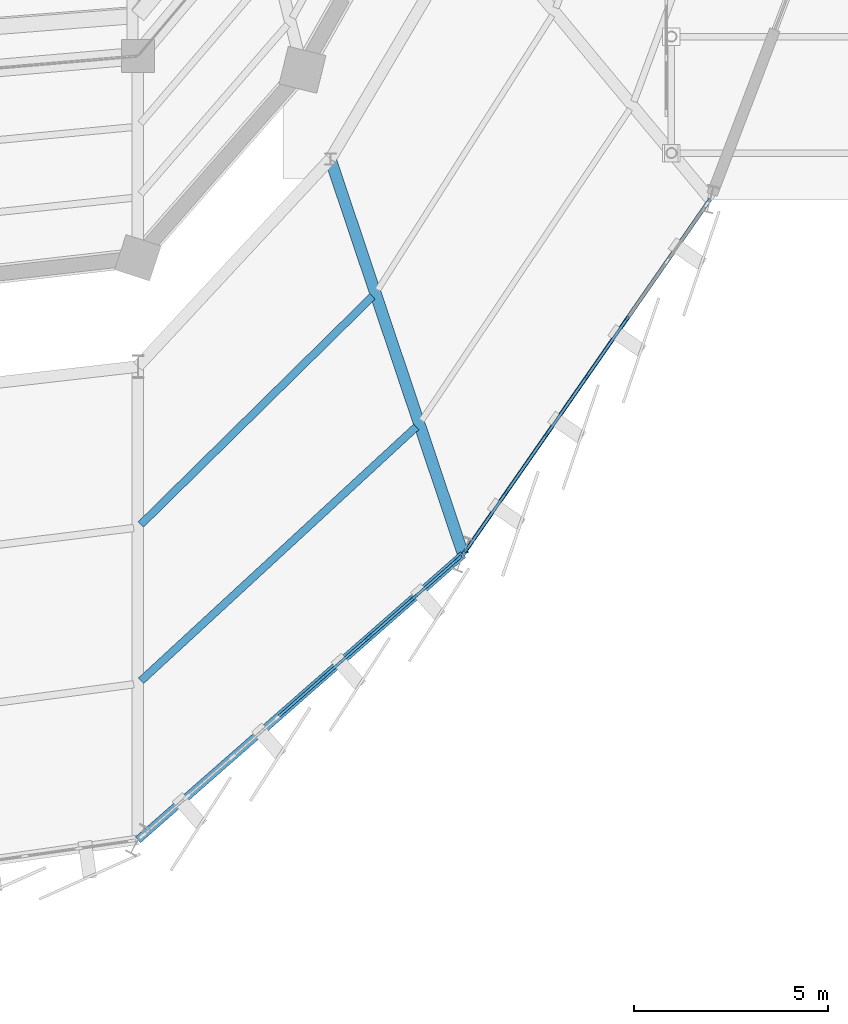
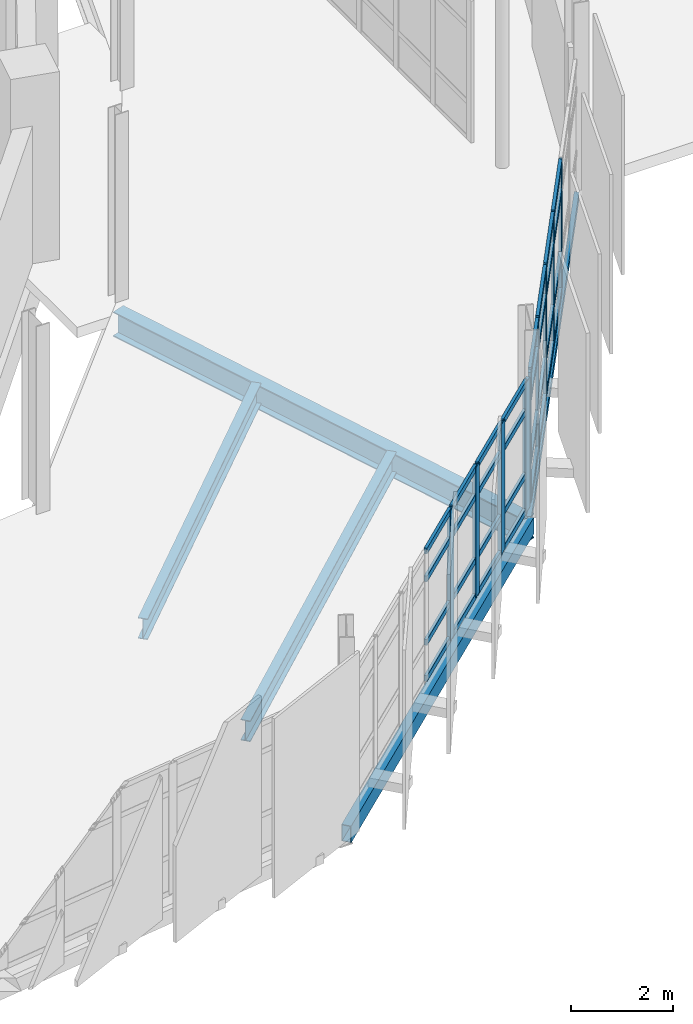
# One storey, part 66 of 134: 41 members, 5 beams, 2 elements without a shape of their own.
"""IFC4 building model written with IfcOpenShell, lengths in metres."""

from ifc_helpers import new_model, si_unit, direction, frame, origin, origin_2d, place, context, subcontext, project, spatial, rectangle, hollow_rectangle, i_section, extrude, material, layer, layer_set, material_profile, profile_set, type_object, element, aggregate, save


model = new_model("IFC4")

# Units and contexts
model_context = context("Model", 3, precision=1e-05, world=origin(), true_north=direction((0.0, 1.0)))
body_context = subcontext(model_context, "Body", "Model", "MODEL_VIEW")
ifc_project = project(units=[si_unit("LENGTHUNIT", "METRE"), si_unit("AREAUNIT", "SQUARE_METRE"), si_unit("VOLUMEUNIT", "CUBIC_METRE"), si_unit("PLANEANGLEUNIT", "RADIAN"), si_unit("MASSUNIT", "GRAM", prefix="KILO")], contexts=[model_context])

# Site, building, storey
site_placement = place(None, origin())
site = spatial("IfcSite", under=ifc_project, at=site_placement, CompositionType="ELEMENT")
building_placement = place(site_placement, origin())
building = spatial("IfcBuilding", under=site, at=building_placement, Name="Sohan Crest Arena", CompositionType="ELEMENT")
storey_placement = place(building_placement, frame((0.0, 0.0, 4.5)))
storey = spatial("IfcBuildingStorey", under=building, at=storey_placement, Name="L01", CompositionType="ELEMENT", Elevation=4.5)

# Curtain wall, members
ifc_material_1 = material(Name="Thermally broken anodised aluminium", Category="aluminium")
ifc_layer_1 = layer(ifc_material_1, 0.219970703125, Name="Thermally broken anodised aluminium")
ifc_layer_set_1 = layer_set([ifc_layer_1], Name="Thermally broken anodised aluminium")
curtain_wall_type_1 = type_object("IfcCurtainWallType", Name="ARC-CW03", PredefinedType="NOTDEFINED", material=ifc_layer_set_1)
curtain_wall_1_placement = place(storey_placement, origin())
curtain_wall_1 = element("IfcCurtainWall", 1, at=curtain_wall_1_placement, inside=storey, type_object=curtain_wall_type_1, Name="Unitised curtain wall CW-038", PredefinedType="NOTDEFINED")
ifc_material_profile_1 = material_profile(ifc_material_1, rectangle(XDim=0.06005859375, YDim=0.159912109375, at=origin_2d()), Name="ALU-MULL 60x160")
ifc_profile_set_1 = profile_set([ifc_material_profile_1], Name="Thermally broken anodised aluminium")
member_type_1 = type_object("IfcMemberType", Name="ARC-CW-ML01", PredefinedType="MULLION", material=ifc_profile_set_1)
member_1_placement = place(storey_placement, frame((176.47412109375, 47.486572265625, 0.0), z_axis=(0.0, 0.0, 1.0), x_axis=(-0.821013728019, 0.570908450107, 0.0)))
member_1 = element("IfcMember", 2, at=member_1_placement, type_object=member_type_1, Name="CW-038 mullion 1", PredefinedType="MULLION", context=body_context, shape_type="SweptSolid", body=[
    extrude(rectangle(XDim=0.06005859375, YDim=0.159912109375, at=origin_2d()), origin(), (0.0, 0.0, 1.0), 3.1201171875),
])
member_2_placement = place(storey_placement, frame((177.493408203125, 48.952392578125, 0.0), z_axis=(0.0, 0.0, 1.0), x_axis=(-0.821013728019, 0.570908450107, 0.0)))
member_2 = element("IfcMember", 3, at=member_2_placement, type_object=member_type_1, Name="CW-038 mullion 2", PredefinedType="MULLION", context=body_context, shape_type="SweptSolid", body=[
    extrude(rectangle(XDim=0.06005859375, YDim=0.159912109375, at=origin_2d()), origin(), (0.0, 0.0, 1.0), 3.1201171875),
])
member_3_placement = place(storey_placement, frame((178.52978515625, 50.442626953125, 0.0), z_axis=(0.0, 0.0, 1.0), x_axis=(-0.821013728019, 0.570908450107, 0.0)))
member_3 = element("IfcMember", 4, at=member_3_placement, type_object=member_type_1, Name="CW-038 mullion 3", PredefinedType="MULLION", context=body_context, shape_type="SweptSolid", body=[
    extrude(rectangle(XDim=0.06005859375, YDim=0.159912109375, at=origin_2d()), origin(), (0.0, 0.0, 1.0), 3.1201171875),
])
member_4_placement = place(storey_placement, frame((179.56591796875, 51.93310546875, 0.0), z_axis=(0.0, 0.0, 1.0), x_axis=(-0.821013728019, 0.570908450107, 0.0)))
member_4 = element("IfcMember", 5, at=member_4_placement, type_object=member_type_1, Name="CW-038 mullion 4", PredefinedType="MULLION", context=body_context, shape_type="SweptSolid", body=[
    extrude(rectangle(XDim=0.06005859375, YDim=0.159912109375, at=origin_2d()), origin(), (0.0, 0.0, 1.0), 3.1201171875),
])
member_5_placement = place(storey_placement, frame((180.602294921875, 53.42333984375, 0.0), z_axis=(0.0, 0.0, 1.0), x_axis=(-0.821013728019, 0.570908450107, 0.0)))
member_5 = element("IfcMember", 6, at=member_5_placement, type_object=member_type_1, Name="CW-038 mullion 5", PredefinedType="MULLION", context=body_context, shape_type="SweptSolid", body=[
    extrude(rectangle(XDim=0.06005859375, YDim=0.159912109375, at=origin_2d()), origin(), (0.0, 0.0, 1.0), 3.1201171875),
])

ifc_layer_2 = layer(ifc_material_1, 0.199951171875, Name="Thermally broken anodised aluminium")
ifc_layer_set_2 = layer_set([ifc_layer_2], Name="Thermally broken anodised aluminium")
curtain_wall_type_2 = type_object("IfcCurtainWallType", Name="ARC-CW02", PredefinedType="NOTDEFINED", material=ifc_layer_set_2)
curtain_wall_2_placement = place(storey_placement, origin())
curtain_wall_2 = element("IfcCurtainWall", 7, at=curtain_wall_2_placement, inside=storey, type_object=curtain_wall_type_2, Name="Unitised curtain wall CW-037", PredefinedType="NOTDEFINED")
ifc_material_profile_2 = material_profile(ifc_material_1, rectangle(XDim=0.074951171875, YDim=0.219970703125, at=origin_2d()), Name="ALU-MULL 75x220")
ifc_profile_set_2 = profile_set([ifc_material_profile_2], Name="Thermally broken anodised aluminium")
member_type_2 = type_object("IfcMemberType", Name="ARC-CW-ML04", PredefinedType="MULLION", material=ifc_profile_set_2)
member_6_placement = place(storey_placement, frame((172.7763671875, 44.190673828125, 0.0), z_axis=(0.0, 0.0, 1.0), x_axis=(-0.659511551903, 0.751694427881, 0.0)))
member_6 = element("IfcMember", 8, at=member_6_placement, type_object=member_type_2, Name="CW-037 mullion 5", PredefinedType="MULLION", context=body_context, shape_type="SweptSolid", body=[
    extrude(rectangle(XDim=0.074951171875, YDim=0.219970703125, at=origin_2d()), origin(), (0.0, 0.0, 1.0), 3.1201171875),
])
member_7_placement = place(storey_placement, frame((173.94580078125, 45.216796875, 0.0), z_axis=(0.0, 0.0, 1.0), x_axis=(-0.659511551903, 0.751694427881, 0.0)))
member_7 = element("IfcMember", 9, at=member_7_placement, type_object=member_type_2, Name="CW-037 mullion 6", PredefinedType="MULLION", context=body_context, shape_type="SweptSolid", body=[
    extrude(rectangle(XDim=0.074951171875, YDim=0.219970703125, at=origin_2d()), origin(), (0.0, 0.0, 1.0), 3.1201171875),
])
member_8_placement = place(storey_placement, frame((175.115478515625, 46.242919921875, 0.0), z_axis=(0.0, 0.0, 1.0), x_axis=(-0.659511551903, 0.751694427881, 0.0)))
member_8 = element("IfcMember", 10, at=member_8_placement, type_object=member_type_2, Name="CW-037 mullion 7", PredefinedType="MULLION", context=body_context, shape_type="SweptSolid", body=[
    extrude(rectangle(XDim=0.074951171875, YDim=0.219970703125, at=origin_2d()), origin(), (0.0, 0.0, 1.0), 3.1201171875),
])
member_9_placement = place(storey_placement, frame((176.2568359375, 47.244384765625, 0.0), z_axis=(0.0, 0.0, 1.0), x_axis=(-0.659511551903, 0.751694427881, 0.0)))
member_9 = element("IfcMember", 11, at=member_9_placement, type_object=member_type_2, Name="CW-037 mullion 8", PredefinedType="MULLION", context=body_context, shape_type="SweptSolid", body=[
    extrude(rectangle(XDim=0.074951171875, YDim=0.219970703125, at=origin_2d()), origin(), (0.0, 0.0, 1.0), 3.1201171875),
])
ifc_material_profile_3 = material_profile(ifc_material_1, rectangle(XDim=0.06494140625, YDim=0.139892578125, at=origin_2d()), Name="ALU-TRAN 65x140")
ifc_profile_set_3 = profile_set([ifc_material_profile_3], Name="Thermally broken anodised aluminium")
member_type_3 = type_object("IfcMemberType", Name="ARC-CW-TR02", PredefinedType="USERDEFINED", material=ifc_profile_set_3)
member_10_placement = place(storey_placement, frame((171.635009765625, 43.189208984375, 0.032470703125), z_axis=(0.75168740905, 0.6595195517, 0.0), x_axis=(-0.6595195517, 0.75168740905, 0.0)))
member_10 = element("IfcMember", 12, at=member_10_placement, type_object=member_type_3, Name="CW-037 transom 4.1", ObjectType="TRANSOM", PredefinedType="USERDEFINED", context=body_context, shape_type="SweptSolid", body=[
    extrude(rectangle(XDim=0.06494140625, YDim=0.139892578125, at=origin_2d()), origin(), (0.0, 0.0, 1.0), 1.480712890625),
])
member_11_placement = place(storey_placement, frame((171.635009765625, 43.189208984375, 0.89990234375), z_axis=(0.75168740905, 0.6595195517, 0.0), x_axis=(-0.6595195517, 0.75168740905, 0.0)))
member_11 = element("IfcMember", 13, at=member_11_placement, type_object=member_type_3, Name="CW-037 transom 4.2", ObjectType="TRANSOM", PredefinedType="USERDEFINED", context=body_context, shape_type="SweptSolid", body=[
    extrude(rectangle(XDim=0.06494140625, YDim=0.139892578125, at=origin_2d()), origin(), (0.0, 0.0, 1.0), 1.480712890625),
])
member_12_placement = place(storey_placement, frame((171.635009765625, 43.189208984375, 2.419921875), z_axis=(0.75168740905, 0.6595195517, 0.0), x_axis=(-0.6595195517, 0.75168740905, 0.0)))
member_12 = element("IfcMember", 14, at=member_12_placement, type_object=member_type_3, Name="CW-037 transom 4.3", ObjectType="TRANSOM", PredefinedType="USERDEFINED", context=body_context, shape_type="SweptSolid", body=[
    extrude(rectangle(XDim=0.06494140625, YDim=0.139892578125, at=origin_2d()), origin(), (0.0, 0.0, 1.0), 1.480712890625),
])
member_13_placement = place(storey_placement, frame((171.635009765625, 43.189208984375, 3.08740234375), z_axis=(0.75168740905, 0.6595195517, 0.0), x_axis=(-0.6595195517, 0.75168740905, 0.0)))
member_13 = element("IfcMember", 15, at=member_13_placement, type_object=member_type_3, Name="CW-037 transom 4.4", ObjectType="TRANSOM", PredefinedType="USERDEFINED", context=body_context, shape_type="SweptSolid", body=[
    extrude(rectangle(XDim=0.06494140625, YDim=0.139892578125, at=origin_2d()), origin(), (0.0, 0.0, 1.0), 1.480712890625),
])
member_14_placement = place(storey_placement, frame((172.804443359375, 44.21533203125, 0.032470703125), z_axis=(0.751759112871, 0.659437818308, 0.0), x_axis=(-0.659437818308, 0.751759112871, 0.0)))
member_14 = element("IfcMember", 16, at=member_14_placement, type_object=member_type_3, Name="CW-037 transom 5.1", ObjectType="TRANSOM", PredefinedType="USERDEFINED", context=body_context, shape_type="SweptSolid", body=[
    extrude(rectangle(XDim=0.06494140625, YDim=0.139892578125, at=origin_2d()), origin(), (0.0, 0.0, 1.0), 1.48095703125),
])
member_15_placement = place(storey_placement, frame((172.804443359375, 44.21533203125, 0.89990234375), z_axis=(0.751759112871, 0.659437818308, 0.0), x_axis=(-0.659437818308, 0.751759112871, 0.0)))
member_15 = element("IfcMember", 17, at=member_15_placement, type_object=member_type_3, Name="CW-037 transom 5.2", ObjectType="TRANSOM", PredefinedType="USERDEFINED", context=body_context, shape_type="SweptSolid", body=[
    extrude(rectangle(XDim=0.06494140625, YDim=0.139892578125, at=origin_2d()), origin(), (0.0, 0.0, 1.0), 1.48095703125),
])
member_16_placement = place(storey_placement, frame((172.804443359375, 44.21533203125, 2.419921875), z_axis=(0.751759112871, 0.659437818308, 0.0), x_axis=(-0.659437818308, 0.751759112871, 0.0)))
member_16 = element("IfcMember", 18, at=member_16_placement, type_object=member_type_3, Name="CW-037 transom 5.3", ObjectType="TRANSOM", PredefinedType="USERDEFINED", context=body_context, shape_type="SweptSolid", body=[
    extrude(rectangle(XDim=0.06494140625, YDim=0.139892578125, at=origin_2d()), origin(), (0.0, 0.0, 1.0), 1.48095703125),
])
member_17_placement = place(storey_placement, frame((172.804443359375, 44.21533203125, 3.08740234375), z_axis=(0.751759112871, 0.659437818308, 0.0), x_axis=(-0.659437818308, 0.751759112871, 0.0)))
member_17 = element("IfcMember", 19, at=member_17_placement, type_object=member_type_3, Name="CW-037 transom 5.4", ObjectType="TRANSOM", PredefinedType="USERDEFINED", context=body_context, shape_type="SweptSolid", body=[
    extrude(rectangle(XDim=0.06494140625, YDim=0.139892578125, at=origin_2d()), origin(), (0.0, 0.0, 1.0), 1.48095703125),
])
member_18_placement = place(storey_placement, frame((173.97412109375, 45.241455078125, 0.032470703125), z_axis=(0.75168740905, 0.6595195517, 0.0), x_axis=(-0.6595195517, 0.75168740905, 0.0)))
member_18 = element("IfcMember", 20, at=member_18_placement, type_object=member_type_3, Name="CW-037 transom 6.1", ObjectType="TRANSOM", PredefinedType="USERDEFINED", context=body_context, shape_type="SweptSolid", body=[
    extrude(rectangle(XDim=0.06494140625, YDim=0.139892578125, at=origin_2d()), origin(), (0.0, 0.0, 1.0), 1.480712890625),
])
member_19_placement = place(storey_placement, frame((173.97412109375, 45.241455078125, 0.89990234375), z_axis=(0.75168740905, 0.6595195517, 0.0), x_axis=(-0.6595195517, 0.75168740905, 0.0)))
member_19 = element("IfcMember", 21, at=member_19_placement, type_object=member_type_3, Name="CW-037 transom 6.2", ObjectType="TRANSOM", PredefinedType="USERDEFINED", context=body_context, shape_type="SweptSolid", body=[
    extrude(rectangle(XDim=0.06494140625, YDim=0.139892578125, at=origin_2d()), origin(), (0.0, 0.0, 1.0), 1.480712890625),
])
member_20_placement = place(storey_placement, frame((173.97412109375, 45.241455078125, 2.419921875), z_axis=(0.75168740905, 0.6595195517, 0.0), x_axis=(-0.6595195517, 0.75168740905, 0.0)))
member_20 = element("IfcMember", 22, at=member_20_placement, type_object=member_type_3, Name="CW-037 transom 6.3", ObjectType="TRANSOM", PredefinedType="USERDEFINED", context=body_context, shape_type="SweptSolid", body=[
    extrude(rectangle(XDim=0.06494140625, YDim=0.139892578125, at=origin_2d()), origin(), (0.0, 0.0, 1.0), 1.480712890625),
])
member_21_placement = place(storey_placement, frame((173.97412109375, 45.241455078125, 3.08740234375), z_axis=(0.75168740905, 0.6595195517, 0.0), x_axis=(-0.6595195517, 0.75168740905, 0.0)))
member_21 = element("IfcMember", 23, at=member_21_placement, type_object=member_type_3, Name="CW-037 transom 6.4", ObjectType="TRANSOM", PredefinedType="USERDEFINED", context=body_context, shape_type="SweptSolid", body=[
    extrude(rectangle(XDim=0.06494140625, YDim=0.139892578125, at=origin_2d()), origin(), (0.0, 0.0, 1.0), 1.480712890625),
])
member_22_placement = place(storey_placement, frame((175.1435546875, 46.267578125, 0.032470703125), z_axis=(0.751695851588, 0.659509929194, 0.0), x_axis=(-0.659509929194, 0.751695851588, 0.0)))
member_22 = element("IfcMember", 24, at=member_22_placement, type_object=member_type_3, Name="CW-037 transom 7.1", ObjectType="TRANSOM", PredefinedType="USERDEFINED", context=body_context, shape_type="SweptSolid", body=[
    extrude(rectangle(XDim=0.06494140625, YDim=0.139892578125, at=origin_2d()), origin(), (0.0, 0.0, 1.0), 1.443359375),
])
member_23_placement = place(storey_placement, frame((175.1435546875, 46.267578125, 0.89990234375), z_axis=(0.751695851588, 0.659509929194, 0.0), x_axis=(-0.659509929194, 0.751695851588, 0.0)))
member_23 = element("IfcMember", 25, at=member_23_placement, type_object=member_type_3, Name="CW-037 transom 7.2", ObjectType="TRANSOM", PredefinedType="USERDEFINED", context=body_context, shape_type="SweptSolid", body=[
    extrude(rectangle(XDim=0.06494140625, YDim=0.139892578125, at=origin_2d()), origin(), (0.0, 0.0, 1.0), 1.443359375),
])
member_24_placement = place(storey_placement, frame((175.1435546875, 46.267578125, 2.419921875), z_axis=(0.751695851588, 0.659509929194, 0.0), x_axis=(-0.659509929194, 0.751695851588, 0.0)))
member_24 = element("IfcMember", 26, at=member_24_placement, type_object=member_type_3, Name="CW-037 transom 7.3", ObjectType="TRANSOM", PredefinedType="USERDEFINED", context=body_context, shape_type="SweptSolid", body=[
    extrude(rectangle(XDim=0.06494140625, YDim=0.139892578125, at=origin_2d()), origin(), (0.0, 0.0, 1.0), 1.443359375),
])
member_25_placement = place(storey_placement, frame((175.1435546875, 46.267578125, 3.08740234375), z_axis=(0.751695851588, 0.659509929194, 0.0), x_axis=(-0.659509929194, 0.751695851588, 0.0)))
member_25 = element("IfcMember", 27, at=member_25_placement, type_object=member_type_3, Name="CW-037 transom 7.4", ObjectType="TRANSOM", PredefinedType="USERDEFINED", context=body_context, shape_type="SweptSolid", body=[
    extrude(rectangle(XDim=0.06494140625, YDim=0.139892578125, at=origin_2d()), origin(), (0.0, 0.0, 1.0), 1.443359375),
])
aggregate(curtain_wall_2, [member_6, member_7, member_8, member_9, member_10, member_11, member_12, member_13, member_14, member_15, member_16, member_17, member_18, member_19, member_20, member_21, member_22, member_23, member_24, member_25])

# Member
ifc_material_profile_4 = material_profile(ifc_material_1, rectangle(XDim=0.070068359375, YDim=0.14990234375, at=origin_2d()), Name="ALU-TRAN 70x150")
ifc_profile_set_4 = profile_set([ifc_material_profile_4], Name="Thermally broken anodised aluminium")
member_type_4 = type_object("IfcMemberType", Name="ARC-CW-TR03", PredefinedType="USERDEFINED", material=ifc_profile_set_4)
member_26_placement = place(storey_placement, frame((176.4912109375, 47.51123046875, 0.034912109375), z_axis=(0.570952544664, 0.820983064223, 0.0), x_axis=(-0.820983064223, 0.570952544664, 0.0)))
member_26 = element("IfcMember", 28, at=member_26_placement, type_object=member_type_4, Name="CW-038 transom 1.1", ObjectType="TRANSOM", PredefinedType="USERDEFINED", context=body_context, shape_type="SweptSolid", body=[
    extrude(rectangle(XDim=0.070068359375, YDim=0.14990234375, at=origin_2d()), origin(), (0.0, 0.0, 1.0), 1.725341796875),
])

member_27_placement = place(storey_placement, frame((176.4912109375, 47.51123046875, 0.89990234375), z_axis=(0.570952544664, 0.820983064223, 0.0), x_axis=(-0.820983064223, 0.570952544664, 0.0)))
member_27 = element("IfcMember", 29, at=member_27_placement, type_object=member_type_4, Name="CW-038 transom 1.2", ObjectType="TRANSOM", PredefinedType="USERDEFINED", context=body_context, shape_type="SweptSolid", body=[
    extrude(rectangle(XDim=0.070068359375, YDim=0.14990234375, at=origin_2d()), origin(), (0.0, 0.0, 1.0), 1.725341796875),
])

member_28_placement = place(storey_placement, frame((176.4912109375, 47.51123046875, 2.419921875), z_axis=(0.570952544664, 0.820983064223, 0.0), x_axis=(-0.820983064223, 0.570952544664, 0.0)))
member_28 = element("IfcMember", 30, at=member_28_placement, type_object=member_type_4, Name="CW-038 transom 1.3", ObjectType="TRANSOM", PredefinedType="USERDEFINED", context=body_context, shape_type="SweptSolid", body=[
    extrude(rectangle(XDim=0.070068359375, YDim=0.14990234375, at=origin_2d()), origin(), (0.0, 0.0, 1.0), 1.725341796875),
])

member_29_placement = place(storey_placement, frame((176.4912109375, 47.51123046875, 3.0849609375), z_axis=(0.570952544664, 0.820983064223, 0.0), x_axis=(-0.820983064223, 0.570952544664, 0.0)))
member_29 = element("IfcMember", 31, at=member_29_placement, type_object=member_type_4, Name="CW-038 transom 1.4", ObjectType="TRANSOM", PredefinedType="USERDEFINED", context=body_context, shape_type="SweptSolid", body=[
    extrude(rectangle(XDim=0.070068359375, YDim=0.14990234375, at=origin_2d()), origin(), (0.0, 0.0, 1.0), 1.725341796875),
])

member_30_placement = place(storey_placement, frame((177.510498046875, 48.97705078125, 0.034912109375), z_axis=(0.570901445273, 0.821018598928, 0.0), x_axis=(-0.821018598928, 0.570901445273, 0.0)))
member_30 = element("IfcMember", 32, at=member_30_placement, type_object=member_type_4, Name="CW-038 transom 2.1", ObjectType="TRANSOM", PredefinedType="USERDEFINED", context=body_context, shape_type="SweptSolid", body=[
    extrude(rectangle(XDim=0.070068359375, YDim=0.14990234375, at=origin_2d()), origin(), (0.0, 0.0, 1.0), 1.755126953125),
])

member_31_placement = place(storey_placement, frame((177.510498046875, 48.97705078125, 0.89990234375), z_axis=(0.570901445273, 0.821018598928, 0.0), x_axis=(-0.821018598928, 0.570901445273, 0.0)))
member_31 = element("IfcMember", 33, at=member_31_placement, type_object=member_type_4, Name="CW-038 transom 2.2", ObjectType="TRANSOM", PredefinedType="USERDEFINED", context=body_context, shape_type="SweptSolid", body=[
    extrude(rectangle(XDim=0.070068359375, YDim=0.14990234375, at=origin_2d()), origin(), (0.0, 0.0, 1.0), 1.755126953125),
])

member_32_placement = place(storey_placement, frame((177.510498046875, 48.97705078125, 2.419921875), z_axis=(0.570901445273, 0.821018598928, 0.0), x_axis=(-0.821018598928, 0.570901445273, 0.0)))
member_32 = element("IfcMember", 34, at=member_32_placement, type_object=member_type_4, Name="CW-038 transom 2.3", ObjectType="TRANSOM", PredefinedType="USERDEFINED", context=body_context, shape_type="SweptSolid", body=[
    extrude(rectangle(XDim=0.070068359375, YDim=0.14990234375, at=origin_2d()), origin(), (0.0, 0.0, 1.0), 1.755126953125),
])

member_33_placement = place(storey_placement, frame((177.510498046875, 48.97705078125, 3.0849609375), z_axis=(0.570901445273, 0.821018598928, 0.0), x_axis=(-0.821018598928, 0.570901445273, 0.0)))
member_33 = element("IfcMember", 35, at=member_33_placement, type_object=member_type_4, Name="CW-038 transom 2.4", ObjectType="TRANSOM", PredefinedType="USERDEFINED", context=body_context, shape_type="SweptSolid", body=[
    extrude(rectangle(XDim=0.070068359375, YDim=0.14990234375, at=origin_2d()), origin(), (0.0, 0.0, 1.0), 1.755126953125),
])

member_34_placement = place(storey_placement, frame((178.546875, 50.46728515625, 0.034912109375), z_axis=(0.570836247866, 0.821063930594, 0.0), x_axis=(-0.821063930594, 0.570836247866, 0.0)))
member_34 = element("IfcMember", 36, at=member_34_placement, type_object=member_type_4, Name="CW-038 transom 3.1", ObjectType="TRANSOM", PredefinedType="USERDEFINED", context=body_context, shape_type="SweptSolid", body=[
    extrude(rectangle(XDim=0.070068359375, YDim=0.14990234375, at=origin_2d()), origin(), (0.0, 0.0, 1.0), 1.755126953125),
])

member_35_placement = place(storey_placement, frame((178.546875, 50.46728515625, 0.89990234375), z_axis=(0.570836247866, 0.821063930594, 0.0), x_axis=(-0.821063930594, 0.570836247866, 0.0)))
member_35 = element("IfcMember", 37, at=member_35_placement, type_object=member_type_4, Name="CW-038 transom 3.2", ObjectType="TRANSOM", PredefinedType="USERDEFINED", context=body_context, shape_type="SweptSolid", body=[
    extrude(rectangle(XDim=0.070068359375, YDim=0.14990234375, at=origin_2d()), origin(), (0.0, 0.0, 1.0), 1.755126953125),
])

member_36_placement = place(storey_placement, frame((178.546875, 50.46728515625, 2.419921875), z_axis=(0.570836247866, 0.821063930594, 0.0), x_axis=(-0.821063930594, 0.570836247866, 0.0)))
member_36 = element("IfcMember", 38, at=member_36_placement, type_object=member_type_4, Name="CW-038 transom 3.3", ObjectType="TRANSOM", PredefinedType="USERDEFINED", context=body_context, shape_type="SweptSolid", body=[
    extrude(rectangle(XDim=0.070068359375, YDim=0.14990234375, at=origin_2d()), origin(), (0.0, 0.0, 1.0), 1.755126953125),
])

member_37_placement = place(storey_placement, frame((178.546875, 50.46728515625, 3.0849609375), z_axis=(0.570836247866, 0.821063930594, 0.0), x_axis=(-0.821063930594, 0.570836247866, 0.0)))
member_37 = element("IfcMember", 39, at=member_37_placement, type_object=member_type_4, Name="CW-038 transom 3.4", ObjectType="TRANSOM", PredefinedType="USERDEFINED", context=body_context, shape_type="SweptSolid", body=[
    extrude(rectangle(XDim=0.070068359375, YDim=0.14990234375, at=origin_2d()), origin(), (0.0, 0.0, 1.0), 1.755126953125),
])

member_38_placement = place(storey_placement, frame((179.5830078125, 51.95751953125, 0.034912109375), z_axis=(0.570930005452, 0.820998738656, 0.0), x_axis=(-0.820998738656, 0.570930005452, 0.0)))
member_38 = element("IfcMember", 40, at=member_38_placement, type_object=member_type_4, Name="CW-038 transom 4.1", ObjectType="TRANSOM", PredefinedType="USERDEFINED", context=body_context, shape_type="SweptSolid", body=[
    extrude(rectangle(XDim=0.070068359375, YDim=0.14990234375, at=origin_2d()), origin(), (0.0, 0.0, 1.0), 1.75537109375),
])

member_39_placement = place(storey_placement, frame((179.5830078125, 51.95751953125, 0.89990234375), z_axis=(0.570930005452, 0.820998738656, 0.0), x_axis=(-0.820998738656, 0.570930005452, 0.0)))
member_39 = element("IfcMember", 41, at=member_39_placement, type_object=member_type_4, Name="CW-038 transom 4.2", ObjectType="TRANSOM", PredefinedType="USERDEFINED", context=body_context, shape_type="SweptSolid", body=[
    extrude(rectangle(XDim=0.070068359375, YDim=0.14990234375, at=origin_2d()), origin(), (0.0, 0.0, 1.0), 1.75537109375),
])

member_40_placement = place(storey_placement, frame((179.5830078125, 51.95751953125, 2.419921875), z_axis=(0.570930005452, 0.820998738656, 0.0), x_axis=(-0.820998738656, 0.570930005452, 0.0)))
member_40 = element("IfcMember", 42, at=member_40_placement, type_object=member_type_4, Name="CW-038 transom 4.3", ObjectType="TRANSOM", PredefinedType="USERDEFINED", context=body_context, shape_type="SweptSolid", body=[
    extrude(rectangle(XDim=0.070068359375, YDim=0.14990234375, at=origin_2d()), origin(), (0.0, 0.0, 1.0), 1.75537109375),
])

member_41_placement = place(storey_placement, frame((179.5830078125, 51.95751953125, 3.0849609375), z_axis=(0.570930005452, 0.820998738656, 0.0), x_axis=(-0.820998738656, 0.570930005452, 0.0)))
member_41 = element("IfcMember", 43, at=member_41_placement, type_object=member_type_4, Name="CW-038 transom 4.4", ObjectType="TRANSOM", PredefinedType="USERDEFINED", context=body_context, shape_type="SweptSolid", body=[
    extrude(rectangle(XDim=0.070068359375, YDim=0.14990234375, at=origin_2d()), origin(), (0.0, 0.0, 1.0), 1.75537109375),
])

aggregate(curtain_wall_1, [member_1, member_2, member_3, member_4, member_5, member_26, member_27, member_28, member_29, member_30, member_31, member_32, member_33, member_34, member_35, member_36, member_37, member_38, member_39, member_40, member_41])

# Beams
ifc_material_2 = material(Name="Steel S355", Category="steel")
ifc_material_profile_5 = material_profile(ifc_material_2, i_section(OverallWidth=0.199951171875, OverallDepth=0.5, WebThickness=0.01025390625, FlangeThickness=0.01611328125, at=origin_2d()), Name="IPE 500")
ifc_profile_set_5 = profile_set([ifc_material_profile_5], Name="Steel S355")
beam_type_1 = type_object("IfcBeamType", Name="STR-BM-B05", PredefinedType="JOIST", material=ifc_profile_set_5)
beam_1_placement = place(storey_placement, frame((168.077880859375, 48.12890625, -0.52490234375), z_axis=(0.712580271708, 0.701590590283, 0.0), x_axis=(-0.701590590283, 0.712580271708, 0.0)))
element("IfcBeam", 44, at=beam_1_placement, inside=storey, type_object=beam_type_1, Name="Structural beam J-L01-1175", PredefinedType="JOIST", context=body_context, shape_type="SweptSolid", body=[
    extrude(i_section(OverallWidth=0.199951171875, OverallDepth=0.5, WebThickness=0.01025390625, FlangeThickness=0.01611328125, at=origin_2d()), origin(), (0.0, 0.0, 1.0), 8.375244140625),
])
beam_2_placement = place(storey_placement, frame((168.0810546875, 44.10107421875, -0.52490234375), z_axis=(0.735036224245, 0.678027837959, 0.0), x_axis=(-0.678027837959, 0.735036224245, 0.0)))
element("IfcBeam", 45, at=beam_2_placement, inside=storey, type_object=beam_type_1, Name="Structural beam J-L01-1176", PredefinedType="JOIST", context=body_context, shape_type="SweptSolid", body=[
    extrude(i_section(OverallWidth=0.199951171875, OverallDepth=0.5, WebThickness=0.01025390625, FlangeThickness=0.01611328125, at=origin_2d()), origin(), (0.0, 0.0, 1.0), 9.648681640625),
])
ifc_material_profile_6 = material_profile(ifc_material_2, i_section(OverallWidth=0.300048828125, OverallDepth=0.590087890625, WebThickness=0.012939453125, FlangeThickness=0.02490234375, at=origin_2d()), Name="HEA 600")
ifc_profile_set_6 = profile_set([ifc_material_profile_6], Name="Steel S355")
beam_type_2 = type_object("IfcBeamType", Name="STR-BM-B11", PredefinedType="BEAM", material=ifc_profile_set_6)
beam_3_placement = place(storey_placement, frame((172.9609375, 57.547119140625, -0.570068359375), z_axis=(0.318297981778, -0.947990714509, 0.0), x_axis=(0.947990714509, 0.318297981778, 0.0)))
element("IfcBeam", 46, at=beam_3_placement, inside=storey, type_object=beam_type_2, Name="Structural beam G-L01-1177", PredefinedType="BEAM", context=body_context, shape_type="SweptSolid", body=[
    extrude(i_section(OverallWidth=0.300048828125, OverallDepth=0.590087890625, WebThickness=0.012939453125, FlangeThickness=0.02490234375, at=origin_2d()), origin(), (0.0, 0.0, 1.0), 10.751220703125),
])
ifc_material_profile_7 = material_profile(ifc_material_2, hollow_rectangle(XDim=0.10009765625, YDim=0.199951171875, WallThickness=0.008056640625, at=origin_2d()), Name="RHS 200x100x8")
ifc_profile_set_7 = profile_set([ifc_material_profile_7], Name="Steel S355")
beam_type_3 = type_object("IfcBeamType", Name="STR-BM-SP01", PredefinedType="SPANDREL", material=ifc_profile_set_7)
beam_4_placement = place(storey_placement, frame((176.383056640625, 47.35498046875, -0.375), z_axis=(0.570857282329, 0.8210493062, 0.0), x_axis=(-0.8210493062, 0.570857282329, 0.0)))
element("IfcBeam", 47, at=beam_4_placement, inside=storey, type_object=beam_type_3, Name="Structural beam SP-L01-1179", PredefinedType="SPANDREL", context=body_context, shape_type="SweptSolid", body=[
    extrude(hollow_rectangle(XDim=0.10009765625, YDim=0.199951171875, WallThickness=0.008056640625, at=origin_2d()), origin(), (0.0, 0.0, 1.0), 11.151611328125),
])
ifc_material_profile_8 = material_profile(ifc_material_2, hollow_rectangle(XDim=0.199951171875, YDim=0.39990234375, WallThickness=0.012451171875, at=origin_2d()), Name="RHS 400x200x12.5")
ifc_profile_set_8 = profile_set([ifc_material_profile_8], Name="Steel S355")
beam_type_4 = type_object("IfcBeamType", Name="STR-BM-SP05", PredefinedType="SPANDREL", material=ifc_profile_set_8)
beam_5_placement = place(storey_placement, frame((168.0, 40.0, -0.47509765625), z_axis=(0.751695897988, 0.659509876308, 0.0), x_axis=(-0.659509876308, 0.751695897988, 0.0)))
element("IfcBeam", 48, at=beam_5_placement, inside=storey, type_object=beam_type_4, Name="Structural beam SP-L01-1174", PredefinedType="SPANDREL", context=body_context, shape_type="SweptSolid", body=[
    extrude(hollow_rectangle(XDim=0.199951171875, YDim=0.39990234375, WallThickness=0.012451171875, at=origin_2d()), origin(), (0.0, 0.0, 1.0), 11.152099609375),
])

save(model, "model.ifc")
